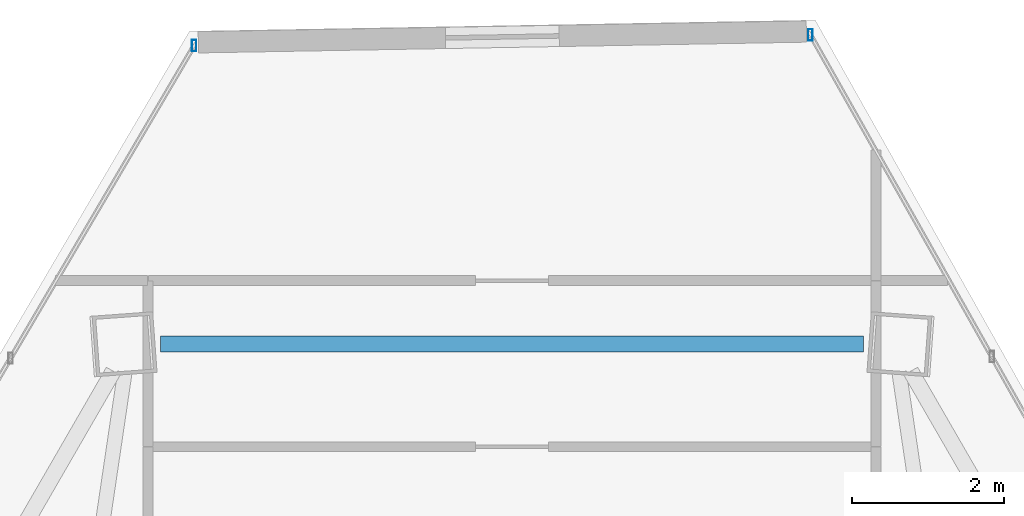
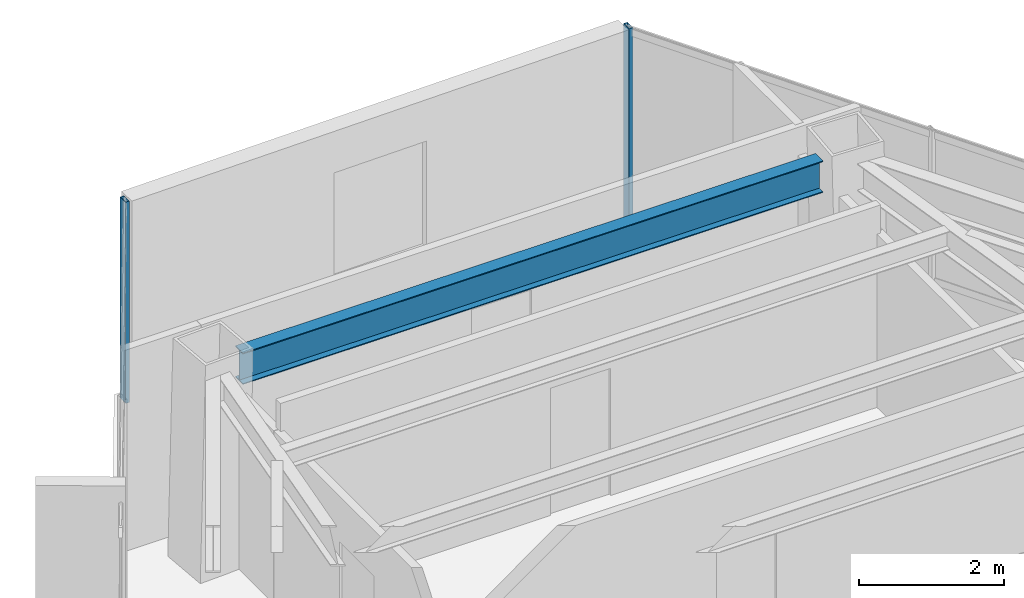
# One storey, part 31 of 42: 2 members, 1 beam, 2 elements without a shape of their own.
"""IFC4 building model written with IfcOpenShell, lengths in metres."""

from ifc_helpers import new_model, si_unit, direction, frame, origin, origin_2d, place, context, subcontext, project, spatial, hollow_rectangle, i_section, extrude, source, transform, mapped, material, material_profile, profile_set, type_object, type_shapes, element, aggregate, save


model = new_model("IFC4")

# Units and contexts
model_context = context("Model", 3, precision=1e-05, world=origin(), true_north=direction((0.0, 1.0)))
body_context = subcontext(model_context, "Body", "Model", "MODEL_VIEW")
ifc_project = project(units=[si_unit("LENGTHUNIT", "METRE"), si_unit("AREAUNIT", "SQUARE_METRE"), si_unit("VOLUMEUNIT", "CUBIC_METRE"), si_unit("PLANEANGLEUNIT", "RADIAN"), si_unit("MASSUNIT", "GRAM", prefix="KILO")], contexts=[model_context])

# Site, building, storey
site_placement = place(None, origin())
site = spatial("IfcSite", under=ifc_project, at=site_placement, CompositionType="ELEMENT")
building_placement = place(site_placement, origin())
building = spatial("IfcBuilding", under=site, at=building_placement, Name="Caelisora Broadcast Tower", CompositionType="ELEMENT")
storey_placement = place(building_placement, frame((0.0, 0.0, 202.300048828125)))
storey = spatial("IfcBuildingStorey", under=building, at=storey_placement, Name="L53", CompositionType="ELEMENT", Elevation=202.300048828125)

# Beam
ifc_material_1 = material(Name="Steel Grade 350 (AS/NZS 3679.1)", Category="steel")
ifc_material_profile_1 = material_profile(ifc_material_1, i_section(OverallWidth=0.208984375, OverallDepth=0.532958984375, WebThickness=0.01025390625, FlangeThickness=0.015625, at=origin_2d()), Name="Steel Grade 350 (AS/NZS 3679.1)")
ifc_profile_set_1 = profile_set([ifc_material_profile_1], Name="Steel Grade 350 (AS/NZS 3679.1)")
beam_type = type_object("IfcBeamType", Name="PG05", PredefinedType="BEAM", material=ifc_profile_set_1)
shared_shape_1 = source(origin(), body_context, "Body", "SweptSolid", [
    extrude(i_section(OverallWidth=0.208984375, OverallDepth=0.532958984375, WebThickness=0.01025390625, FlangeThickness=0.015625, at=origin_2d()), origin(), (0.0, 0.0, 1.0), 9.27001953125),
])
type_shapes(beam_type, [shared_shape_1])
beam_placement = place(storey_placement, frame((42.635009765625, 46.5859375, 3.133544921875), z_axis=(-1.0, 0.0, 0.0), x_axis=(0.0, -1.0, 0.0)))
element("IfcBeam", 1, at=beam_placement, inside=storey, type_object=beam_type, Name="L53 beam PG05", PredefinedType="BEAM", context=body_context, shape_type="MappedRepresentation", body=[
    mapped(shared_shape_1, transform((0.0, 0.0, 0.0), scale=1.0)),
])

# Curtain wall, member
ifc_material_2 = material(Name="Unitised Aluminium and Low-E Glass Curtain Wall", Category="glass")
curtain_wall_type = type_object("IfcCurtainWallType", Name="CW-Z4", PredefinedType="NOTDEFINED", material=ifc_material_2)
curtain_wall_1_placement = place(storey_placement, origin())
curtain_wall_1 = element("IfcCurtainWall", 2, at=curtain_wall_1_placement, inside=storey, type_object=curtain_wall_type, Name="L53 curtain wall CW-Z4", PredefinedType="NOTDEFINED")
ifc_material_3 = material(Name="Aluminium 6063-T6 Anodised Terracotta Bronze", Category="aluminium")
ifc_material_profile_2 = material_profile(ifc_material_3, hollow_rectangle(XDim=0.06005859375, YDim=0.14990234375, WallThickness=0.00341796875, at=origin_2d()), Name="Aluminium 6063-T6 Anodised Terracotta Bronze")
ifc_profile_set_2 = profile_set([ifc_material_profile_2], Name="Aluminium 6063-T6 Anodised Terracotta Bronze")
member_type = type_object("IfcMemberType", Name="CWM-03", PredefinedType="MULLION", material=ifc_profile_set_2)
shared_shape_2 = source(origin(), body_context, "Body", "SweptSolid", [
    extrude(hollow_rectangle(XDim=0.06005859375, YDim=0.14990234375, WallThickness=0.00341796875, at=origin_2d()), origin(), (0.0, 0.0, 1.0), 3.39990234375),
])
type_shapes(member_type, [shared_shape_2])
member_1_placement = place(storey_placement, frame((41.9365234375, 50.662353515625, 0.0), z_axis=(0.0, 0.0, 1.0), x_axis=(1.0, 0.0, 0.0)))
member_1 = element("IfcMember", 3, at=member_1_placement, type_object=member_type, Name="L53-CW-B01 mullion #0", PredefinedType="MULLION", context=body_context, shape_type="MappedRepresentation", body=[
    mapped(shared_shape_2, transform((0.0, 0.0, 0.0), scale=1.0)),
])
aggregate(curtain_wall_1, [member_1])

curtain_wall_2_placement = place(storey_placement, origin())
curtain_wall_2 = element("IfcCurtainWall", 4, at=curtain_wall_2_placement, inside=storey, type_object=curtain_wall_type, Name="L53 curtain wall CW-Z4", PredefinedType="NOTDEFINED")
member_2_placement = place(storey_placement, frame((33.8076171875, 50.52001953125, 0.0), z_axis=(0.0, 0.0, 1.0), x_axis=(1.0, 0.0, 0.0)))
member_2 = element("IfcMember", 5, at=member_2_placement, type_object=member_type, Name="L53-CW-B11 mullion #3", PredefinedType="MULLION", context=body_context, shape_type="MappedRepresentation", body=[
    mapped(shared_shape_2, transform((0.0, 0.0, 0.0), scale=1.0)),
])
aggregate(curtain_wall_2, [member_2])

save(model, "model.ifc")
